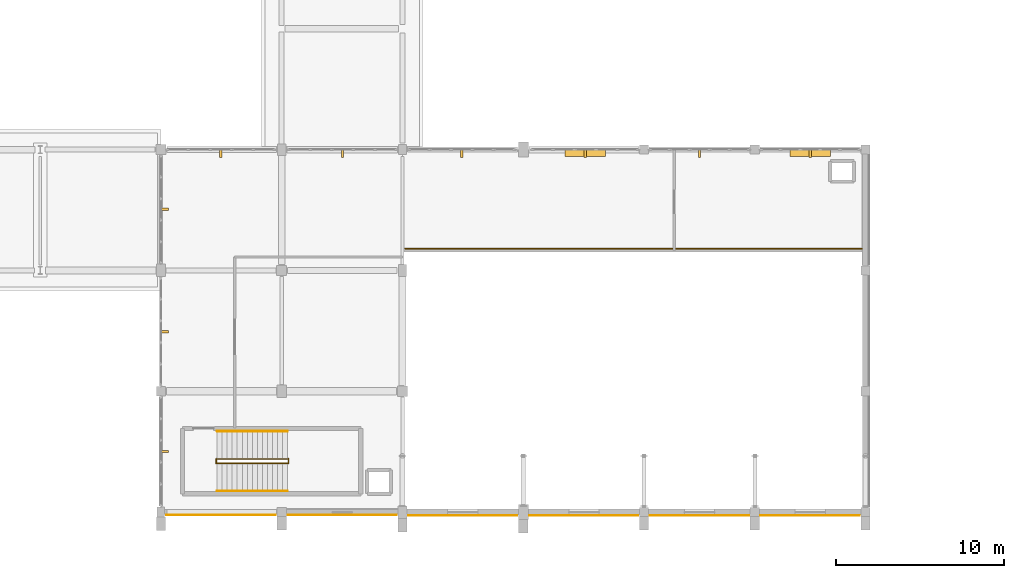
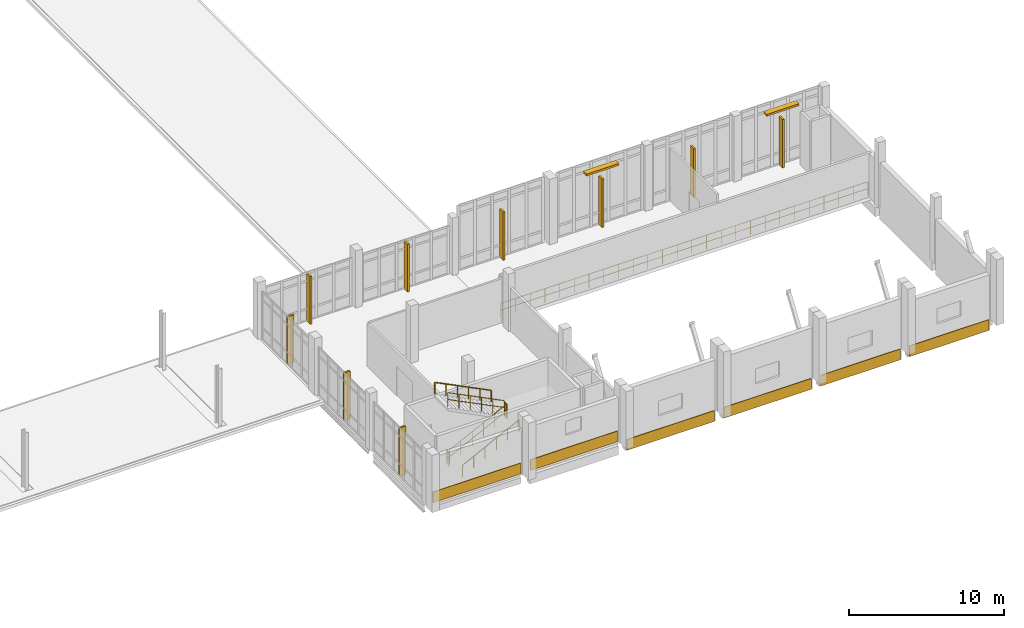
# One storey, part 126 of 134: 11 shading devices, 7 railings, 6 coverings.
"""IFC4 building model written with IfcOpenShell, lengths in metres."""

from ifc_helpers import new_model, si_unit, direction, frame, origin, origin_2d, place, context, subcontext, project, spatial, rectangle, circle, extrude, material, layer, layer_set, type_object, element, save


model = new_model("IFC4")

# Units and contexts
model_context = context("Model", 3, precision=1e-05, world=origin(), true_north=direction((0.0, 1.0)))
body_context = subcontext(model_context, "Body", "Model", "MODEL_VIEW")
ifc_project = project(units=[si_unit("LENGTHUNIT", "METRE"), si_unit("AREAUNIT", "SQUARE_METRE"), si_unit("VOLUMEUNIT", "CUBIC_METRE"), si_unit("PLANEANGLEUNIT", "RADIAN"), si_unit("MASSUNIT", "GRAM", prefix="KILO")], contexts=[model_context])

# Site, building, storey
site_placement = place(None, origin())
site = spatial("IfcSite", under=ifc_project, at=site_placement, CompositionType="ELEMENT")
building_placement = place(site_placement, origin())
building = spatial("IfcBuilding", under=site, at=building_placement, Name="Kalluvel Institute of Natural Sciences", CompositionType="ELEMENT")
storey_placement = place(building_placement, frame((0.0, 0.0, 5.39990234375)))
storey = spatial("IfcBuildingStorey", under=building, at=storey_placement, Name="L01", CompositionType="ELEMENT", Elevation=5.39990234375)

# Coverings
ifc_material_1 = material(Name="Sadarahalli Grey Granite Ashlar Concrete M40", Category="masonry")
ifc_layer = layer(ifc_material_1, 0.044921875)
ifc_layer_set = layer_set([ifc_layer], Name="Sadarahalli Grey Granite Ashlar Concrete M40")
covering_type = type_object("IfcCoveringType", Name="COV-CLAD-STONE", PredefinedType="CLADDING", material=ifc_layer_set)
covering_1_placement = place(storey_placement, frame((103.97509765625, 13.820068359375, 0.025146484375), z_axis=(0.0, 0.0, 1.0), x_axis=(1.0, 0.0, 0.0)))
element("IfcCovering", 1, at=covering_1_placement, inside=storey, type_object=covering_type, Name="L01 Sadarahalli granite plinth spandrel cladding 245", PredefinedType="CLADDING", context=body_context, shape_type="SweptSolid", body=[
    extrude(rectangle(XDim=6.5400390625, YDim=0.044921875, at=origin_2d()), origin(), (0.0, 0.0, 1.0), 0.85009765625),
])
covering_2_placement = place(storey_placement, frame((111.199951171875, 13.820068359375, 0.025146484375), z_axis=(0.0, 0.0, 1.0), x_axis=(1.0, 0.0, 0.0)))
element("IfcCovering", 2, at=covering_2_placement, inside=storey, type_object=covering_type, Name="L01 Sadarahalli granite plinth spandrel cladding 246", PredefinedType="CLADDING", context=body_context, shape_type="SweptSolid", body=[
    extrude(rectangle(XDim=6.489990234375, YDim=0.044921875, at=origin_2d()), origin(), (0.0, 0.0, 1.0), 0.85009765625),
])
for number, where, z_axis, x_axis, name in (
    (3, (118.387451171875, 13.800048828125, -0.875), (0.0, 0.0, 1.0), (1.0, 0.0, 0.0), "L01 Sadarahalli granite plinth spandrel cladding 368"),
    (4, (125.612548828125, 13.800048828125, -0.875), (0.0, 0.0, 1.0), (1.0, 0.0, 0.0), "L01 Sadarahalli granite plinth spandrel cladding 369"),
):
    element("IfcCovering", number, at=place(storey_placement, frame(where, z_axis=z_axis, x_axis=x_axis)), inside=storey, type_object=covering_type, Name=name, PredefinedType="CLADDING", context=body_context, shape_type="SweptSolid", body=[
        extrude(rectangle(XDim=6.5048828125, YDim=0.044921875, at=origin_2d()), origin(), (0.0, 0.0, 1.0), 0.85009765625),
    ])
for number, where, z_axis, x_axis, name in (
    (5, (132.5, 13.800048828125, -0.875), (0.0, 0.0, 1.0), (1.0, 0.0, 0.0), "L01 Sadarahalli granite plinth spandrel cladding 370"),
    (6, (139.10009765625, 13.800048828125, -0.875), (0.0, 0.0, 1.0), (1.0, 0.0, 0.0), "L01 Sadarahalli granite plinth spandrel cladding 371"),
):
    element("IfcCovering", number, at=place(storey_placement, frame(where, z_axis=z_axis, x_axis=x_axis)), inside=storey, type_object=covering_type, Name=name, PredefinedType="CLADDING", context=body_context, shape_type="SweptSolid", body=[
        extrude(rectangle(XDim=5.929931640625, YDim=0.044921875, at=origin_2d()), origin(), (0.0, 0.0, 1.0), 0.85009765625),
    ])

# Railings
ifc_material_2 = material(Name="Galvanized Fire-Rated Steel", Category="steel")
railing_type_1 = type_object("IfcRailingType", Name="RL-GD-ATRIUM", PredefinedType="BALUSTRADE", material=ifc_material_2)
railing_1_placement = place(storey_placement, frame((114.949951171875, 29.699951171875, 0.0)))
element("IfcRailing", 7, at=railing_1_placement, inside=storey, type_object=railing_type_1, Name="L01 Auditorium gallery overlook balustrade", PredefinedType="BALUSTRADE", context=body_context, shape_type="SweptSolid", body=[
    extrude(circle(Radius=0.02392578125, at=origin_2d()), frame((0.0, 0.0, 1.09619140625), z_axis=(1.0, 0.0, 0.0), x_axis=(0.0, 1.0, 0.0)), (0.0, 0.0, 1.0), 27.300048828125),
    extrude(circle(Radius=0.02392578125, at=origin_2d()), frame((0.0, 0.0, 0.56005859375), z_axis=(1.0, 0.0, 0.0), x_axis=(0.0, 1.0, 0.0)), (0.0, 0.0, 1.0), 27.300048828125),
    extrude(circle(Radius=0.02099609375, at=origin_2d()), origin(), (0.0, 0.0, 1.0), 1.072021484375),
    extrude(circle(Radius=0.02099609375, at=origin_2d()), frame((1.092041015625, 0.0, 0.0)), (0.0, 0.0, 1.0), 1.072021484375),
    extrude(circle(Radius=0.02099609375, at=origin_2d()), frame((2.18408203125, 0.0, 0.0)), (0.0, 0.0, 1.0), 1.072021484375),
    extrude(circle(Radius=0.02099609375, at=origin_2d()), frame((3.276123046875, 0.0, 0.0)), (0.0, 0.0, 1.0), 1.072021484375),
    extrude(circle(Radius=0.02099609375, at=origin_2d()), frame((4.367919921875, 0.0, 0.0)), (0.0, 0.0, 1.0), 1.072021484375),
    extrude(circle(Radius=0.02099609375, at=origin_2d()), frame((5.4599609375, 0.0, 0.0)), (0.0, 0.0, 1.0), 1.072021484375),
    extrude(circle(Radius=0.02099609375, at=origin_2d()), frame((6.552001953125, 0.0, 0.0)), (0.0, 0.0, 1.0), 1.072021484375),
    extrude(circle(Radius=0.02099609375, at=origin_2d()), frame((7.64404296875, 0.0, 0.0)), (0.0, 0.0, 1.0), 1.072021484375),
    extrude(circle(Radius=0.02099609375, at=origin_2d()), frame((8.736083984375, 0.0, 0.0)), (0.0, 0.0, 1.0), 1.072021484375),
    extrude(circle(Radius=0.02099609375, at=origin_2d()), frame((9.828125, 0.0, 0.0)), (0.0, 0.0, 1.0), 1.072021484375),
    extrude(circle(Radius=0.02099609375, at=origin_2d()), frame((10.919921875, 0.0, 0.0)), (0.0, 0.0, 1.0), 1.072021484375),
    extrude(circle(Radius=0.02099609375, at=origin_2d()), frame((12.011962890625, 0.0, 0.0)), (0.0, 0.0, 1.0), 1.072021484375),
    extrude(circle(Radius=0.02099609375, at=origin_2d()), frame((13.10400390625, 0.0, 0.0)), (0.0, 0.0, 1.0), 1.072021484375),
    extrude(circle(Radius=0.02099609375, at=origin_2d()), frame((14.196044921875, 0.0, 0.0)), (0.0, 0.0, 1.0), 1.072021484375),
    extrude(circle(Radius=0.02099609375, at=origin_2d()), frame((15.2880859375, 0.0, 0.0)), (0.0, 0.0, 1.0), 1.072021484375),
    extrude(circle(Radius=0.02099609375, at=origin_2d()), frame((16.380126953125, 0.0, 0.0)), (0.0, 0.0, 1.0), 1.072021484375),
    extrude(circle(Radius=0.02099609375, at=origin_2d()), frame((17.471923828125, 0.0, 0.0)), (0.0, 0.0, 1.0), 1.072021484375),
    extrude(circle(Radius=0.02099609375, at=origin_2d()), frame((18.56396484375, 0.0, 0.0)), (0.0, 0.0, 1.0), 1.072021484375),
    extrude(circle(Radius=0.02099609375, at=origin_2d()), frame((19.656005859375, 0.0, 0.0)), (0.0, 0.0, 1.0), 1.072021484375),
    extrude(circle(Radius=0.02099609375, at=origin_2d()), frame((20.748046875, 0.0, 0.0)), (0.0, 0.0, 1.0), 1.072021484375),
    extrude(circle(Radius=0.02099609375, at=origin_2d()), frame((21.840087890625, 0.0, 0.0)), (0.0, 0.0, 1.0), 1.072021484375),
    extrude(circle(Radius=0.02099609375, at=origin_2d()), frame((22.93212890625, 0.0, 0.0)), (0.0, 0.0, 1.0), 1.072021484375),
    extrude(circle(Radius=0.02099609375, at=origin_2d()), frame((24.02392578125, 0.0, 0.0)), (0.0, 0.0, 1.0), 1.072021484375),
    extrude(circle(Radius=0.02099609375, at=origin_2d()), frame((25.115966796875, 0.0, 0.0)), (0.0, 0.0, 1.0), 1.072021484375),
    extrude(circle(Radius=0.02099609375, at=origin_2d()), frame((26.2080078125, 0.0, 0.0)), (0.0, 0.0, 1.0), 1.072021484375),
    extrude(circle(Radius=0.02099609375, at=origin_2d()), frame((27.300048828125, 0.0, 0.0)), (0.0, 0.0, 1.0), 1.072021484375),
])
railing_type_2 = type_object("IfcRailingType", Name="RL-GD-STAIR", PredefinedType="BALUSTRADE", material=ifc_material_2)
railing_2_placement = place(storey_placement, frame((103.75, 16.909912109375, 0.150146484375)))
element("IfcRailing", 8, at=railing_2_placement, inside=storey, type_object=railing_type_2, Name="L01 ST7 stair guard 1", PredefinedType="BALUSTRADE", context=body_context, shape_type="SweptSolid", body=[
    extrude(circle(Radius=0.02392578125, at=origin_2d()), frame((0.0, 0.0, 1.09619140625), z_axis=(0.894437589381, 0.0, 0.447192798132), x_axis=(0.0, 1.0, 0.0)), (0.0, 0.0, 1.0), 4.695556640625),
    extrude(circle(Radius=0.02392578125, at=origin_2d()), frame((0.0, 0.0, 0.56005859375), z_axis=(0.894437589381, 0.0, 0.447192798132), x_axis=(0.0, 1.0, 0.0)), (0.0, 0.0, 1.0), 4.695556640625),
    extrude(circle(Radius=0.02099609375, at=origin_2d()), origin(), (0.0, 0.0, 1.0), 1.072021484375),
    extrude(circle(Radius=0.02099609375, at=origin_2d()), frame((0.840087890625, 0.0, 0.419921875)), (0.0, 0.0, 1.0), 1.072021484375),
    extrude(circle(Radius=0.02099609375, at=origin_2d()), frame((1.679931640625, 0.0, 0.83984375)), (0.0, 0.0, 1.0), 1.072021484375),
    extrude(circle(Radius=0.02099609375, at=origin_2d()), frame((2.52001953125, 0.0, 1.260009765625)), (0.0, 0.0, 1.0), 1.072021484375),
    extrude(circle(Radius=0.02099609375, at=origin_2d()), frame((3.35986328125, 0.0, 1.679931640625)), (0.0, 0.0, 1.0), 1.072021484375),
    extrude(circle(Radius=0.02099609375, at=origin_2d()), frame((4.199951171875, 0.0, 2.099853515625)), (0.0, 0.0, 1.0), 1.072021484375),
])
railing_3_placement = place(storey_placement, frame((108.0, 16.89501953125, 2.25)))
element("IfcRailing", 9, at=railing_3_placement, inside=storey, type_object=railing_type_2, Name="L01 ST7 stair guard 2", PredefinedType="BALUSTRADE", context=body_context, shape_type="SweptSolid", body=[
    extrude(circle(Radius=0.02392578125, at=origin_2d()), frame((0.0, 0.0, 1.09619140625), z_axis=(0.0, 1.0, 0.0), x_axis=(-1.0, 0.0, 0.0)), (0.0, 0.0, 1.0), 0.280029296875),
    extrude(circle(Radius=0.02392578125, at=origin_2d()), frame((0.0, 0.0, 0.56005859375), z_axis=(0.0, 1.0, 0.0), x_axis=(-1.0, 0.0, 0.0)), (0.0, 0.0, 1.0), 0.280029296875),
    extrude(circle(Radius=0.02099609375, at=origin_2d()), origin(), (0.0, 0.0, 1.0), 1.072021484375),
    extrude(circle(Radius=0.02099609375, at=origin_2d()), frame((0.0, 0.280029296875, 0.0)), (0.0, 0.0, 1.0), 1.072021484375),
])
railing_4_placement = place(storey_placement, frame((107.949951171875, 17.159912109375, 2.400146484375)))
element("IfcRailing", 10, at=railing_4_placement, inside=storey, type_object=railing_type_2, Name="L01 ST7 stair guard 3", PredefinedType="BALUSTRADE", context=body_context, shape_type="SweptSolid", body=[
    extrude(circle(Radius=0.02392578125, at=origin_2d()), frame((0.0, 0.0, 1.09619140625), z_axis=(-0.894437589381, 0.0, 0.447192798132), x_axis=(0.0, -1.0, 0.0)), (0.0, 0.0, 1.0), 4.695556640625),
    extrude(circle(Radius=0.02392578125, at=origin_2d()), frame((0.0, 0.0, 0.56005859375), z_axis=(-0.894437589381, 0.0, 0.447192798132), x_axis=(0.0, -1.0, 0.0)), (0.0, 0.0, 1.0), 4.695556640625),
    extrude(circle(Radius=0.02099609375, at=origin_2d()), origin(), (0.0, 0.0, 1.0), 1.072021484375),
    extrude(circle(Radius=0.02099609375, at=origin_2d()), frame((-0.840087890625, 0.0, 0.419921875)), (0.0, 0.0, 1.0), 1.072021484375),
    extrude(circle(Radius=0.02099609375, at=origin_2d()), frame((-1.679931640625, 0.0, 0.83984375)), (0.0, 0.0, 1.0), 1.072021484375),
    extrude(circle(Radius=0.02099609375, at=origin_2d()), frame((-2.52001953125, 0.0, 1.260009765625)), (0.0, 0.0, 1.0), 1.072021484375),
    extrude(circle(Radius=0.02099609375, at=origin_2d()), frame((-3.35986328125, 0.0, 1.679931640625)), (0.0, 0.0, 1.0), 1.072021484375),
    extrude(circle(Radius=0.02099609375, at=origin_2d()), frame((-4.199951171875, 0.0, 2.099853515625)), (0.0, 0.0, 1.0), 1.072021484375),
])
railing_5_placement = place(storey_placement, frame((103.699951171875, 16.89501953125, 0.0)))
element("IfcRailing", 11, at=railing_5_placement, inside=storey, type_object=railing_type_2, Name="L01 ST7 stair guard 4", PredefinedType="BALUSTRADE", context=body_context, shape_type="SweptSolid", body=[
    extrude(circle(Radius=0.02392578125, at=origin_2d()), frame((0.0, 0.0, 1.09619140625), z_axis=(0.0, 1.0, 0.0), x_axis=(-1.0, 0.0, 0.0)), (0.0, 0.0, 1.0), 0.280029296875),
    extrude(circle(Radius=0.02392578125, at=origin_2d()), frame((0.0, 0.0, 0.56005859375), z_axis=(0.0, 1.0, 0.0), x_axis=(-1.0, 0.0, 0.0)), (0.0, 0.0, 1.0), 0.280029296875),
    extrude(circle(Radius=0.02099609375, at=origin_2d()), origin(), (0.0, 0.0, 1.0), 1.072021484375),
    extrude(circle(Radius=0.02099609375, at=origin_2d()), frame((0.0, 0.280029296875, 0.0)), (0.0, 0.0, 1.0), 1.072021484375),
])
railing_type_3 = type_object("IfcRailingType", Name="RL-HR-STAIR", PredefinedType="HANDRAIL", material=ifc_material_2)
railing_6_placement = place(storey_placement, frame((103.75, 15.25, 0.150146484375)))
element("IfcRailing", 12, at=railing_6_placement, inside=storey, type_object=railing_type_3, Name="L01 ST7 stair handrail 1", PredefinedType="HANDRAIL", context=body_context, shape_type="SweptSolid", body=[
    extrude(circle(Radius=0.02392578125, at=origin_2d()), frame((0.0, 0.0, 0.89599609375), z_axis=(0.894437589381, 0.0, 0.447192798132), x_axis=(0.0, 1.0, 0.0)), (0.0, 0.0, 1.0), 4.695556640625),
    extrude(circle(Radius=0.02099609375, at=origin_2d()), origin(), (0.0, 0.0, 1.0), 0.871826171875),
    extrude(circle(Radius=0.02099609375, at=origin_2d()), frame((0.840087890625, 0.0, 0.419921875)), (0.0, 0.0, 1.0), 0.871826171875),
    extrude(circle(Radius=0.02099609375, at=origin_2d()), frame((1.679931640625, 0.0, 0.83984375)), (0.0, 0.0, 1.0), 0.871826171875),
    extrude(circle(Radius=0.02099609375, at=origin_2d()), frame((2.52001953125, 0.0, 1.260009765625)), (0.0, 0.0, 1.0), 0.871826171875),
    extrude(circle(Radius=0.02099609375, at=origin_2d()), frame((3.35986328125, 0.0, 1.679931640625)), (0.0, 0.0, 1.0), 0.871826171875),
    extrude(circle(Radius=0.02099609375, at=origin_2d()), frame((4.199951171875, 0.0, 2.099853515625)), (0.0, 0.0, 1.0), 0.871826171875),
])
railing_7_placement = place(storey_placement, frame((107.949951171875, 18.820068359375, 2.400146484375)))
element("IfcRailing", 13, at=railing_7_placement, inside=storey, type_object=railing_type_3, Name="L01 ST7 stair handrail 2", PredefinedType="HANDRAIL", context=body_context, shape_type="SweptSolid", body=[
    extrude(circle(Radius=0.02392578125, at=origin_2d()), frame((0.0, 0.0, 0.89599609375), z_axis=(-0.894437589381, 0.0, 0.447192798132), x_axis=(0.0, -1.0, 0.0)), (0.0, 0.0, 1.0), 4.695556640625),
    extrude(circle(Radius=0.02099609375, at=origin_2d()), origin(), (0.0, 0.0, 1.0), 0.871826171875),
    extrude(circle(Radius=0.02099609375, at=origin_2d()), frame((-0.840087890625, 0.0, 0.419921875)), (0.0, 0.0, 1.0), 0.871826171875),
    extrude(circle(Radius=0.02099609375, at=origin_2d()), frame((-1.679931640625, 0.0, 0.83984375)), (0.0, 0.0, 1.0), 0.871826171875),
    extrude(circle(Radius=0.02099609375, at=origin_2d()), frame((-2.52001953125, 0.0, 1.260009765625)), (0.0, 0.0, 1.0), 0.871826171875),
    extrude(circle(Radius=0.02099609375, at=origin_2d()), frame((-3.35986328125, 0.0, 1.679931640625)), (0.0, 0.0, 1.0), 0.871826171875),
    extrude(circle(Radius=0.02099609375, at=origin_2d()), frame((-4.199951171875, 0.0, 2.099853515625)), (0.0, 0.0, 1.0), 0.871826171875),
])

# Shading devices
shading_device_type_1 = type_object("IfcShadingDeviceType", Name="SHD-FIN-STONE", PredefinedType="USERDEFINED", material=ifc_material_1)
for number, where, z_axis, x_axis, name in (
    (14, (103.97509765625, 35.3798828125, 0.0), (0.0, 0.0, 1.0), (1.0, 0.0, 0.0), "L01 monsoon lancet shading fin 226"),
    (15, (111.22509765625, 35.3798828125, 0.0), (0.0, 0.0, 1.0), (1.0, 0.0, 0.0), "L01 monsoon lancet shading fin 227"),
    (16, (100.6201171875, 17.612548828125, 0.0), (0.0, 0.0, 1.0), (0.0, 1.0, 0.0), "L01 monsoon lancet shading fin 228"),
    (17, (100.6201171875, 24.75, 0.0), (0.0, 0.0, 1.0), (0.0, 1.0, 0.0), "L01 monsoon lancet shading fin 229"),
    (18, (100.6201171875, 32.03759765625, 0.0), (0.0, 0.0, 1.0), (0.0, 1.0, 0.0), "L01 monsoon lancet shading fin 230"),
):
    element("IfcShadingDevice", number, at=place(storey_placement, frame(where, z_axis=z_axis, x_axis=x_axis)), inside=storey, type_object=shading_device_type_1, Name=name, ObjectType="MONSOON FIN", PredefinedType="USERDEFINED", context=body_context, shape_type="SweptSolid", body=[
        extrude(rectangle(XDim=0.139892578125, YDim=0.47998046875, at=origin_2d()), origin(), (0.0, 0.0, 1.0), 3.75),
    ])
for number, where, z_axis, x_axis, name in (
    (19, (118.324951171875, 35.3798828125, 0.0), (0.0, 0.0, 1.0), (1.0, 0.0, 0.0), "L01 monsoon lancet shading fin 263"),
    (20, (125.6875, 35.3798828125, 0.0), (0.0, 0.0, 1.0), (1.0, 0.0, 0.0), "L01 monsoon lancet shading fin 264"),
    (21, (132.5, 35.3798828125, 0.0), (0.0, 0.0, 1.0), (1.0, 0.0, 0.0), "L01 monsoon lancet shading fin 266"),
    (22, (139.10009765625, 35.3798828125, 0.0), (0.0, 0.0, 1.0), (1.0, 0.0, 0.0), "L01 monsoon lancet shading fin 267"),
):
    element("IfcShadingDevice", number, at=place(storey_placement, frame(where, z_axis=z_axis, x_axis=x_axis)), inside=storey, type_object=shading_device_type_1, Name=name, ObjectType="MONSOON FIN", PredefinedType="USERDEFINED", context=body_context, shape_type="SweptSolid", body=[
        extrude(rectangle(XDim=0.139892578125, YDim=0.47998046875, at=origin_2d()), origin(), (0.0, 0.0, 1.0), 3.800048828125),
    ])
ifc_material_3 = material(Name="Aluminium AW-6063 T6", Category="aluminium")
shading_device_type_2 = type_object("IfcShadingDeviceType", Name="SHD-LOUV-ALU", PredefinedType="JALOUSIE", material=ifc_material_3)
for number, where, z_axis, x_axis, name in (
    (23, (125.6875, 35.39990234375, 4.419921875), (0.0, 0.0, 1.0), (1.0, 0.0, 0.0), "L01 aluminium sun-shading louvre 265"),
    (24, (139.10009765625, 35.39990234375, 4.419921875), (0.0, 0.0, 1.0), (1.0, 0.0, 0.0), "L01 aluminium sun-shading louvre 268"),
):
    element("IfcShadingDevice", number, at=place(storey_placement, frame(where, z_axis=z_axis, x_axis=x_axis)), inside=storey, type_object=shading_device_type_2, Name=name, PredefinedType="JALOUSIE", context=body_context, shape_type="SweptSolid", body=[
        extrude(rectangle(XDim=2.39990234375, YDim=0.419921875, at=origin_2d()), origin(), (0.0, 0.0, 1.0), 0.159912109375),
    ])

save(model, "model.ifc")
